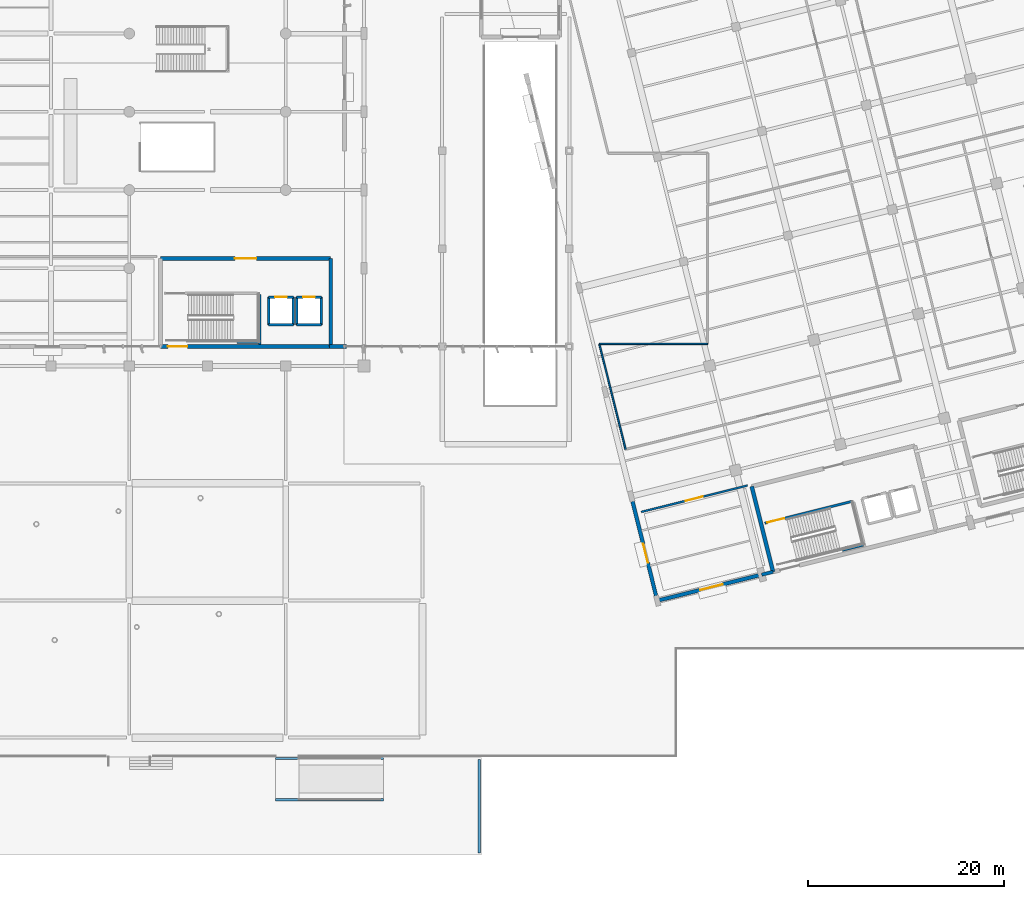
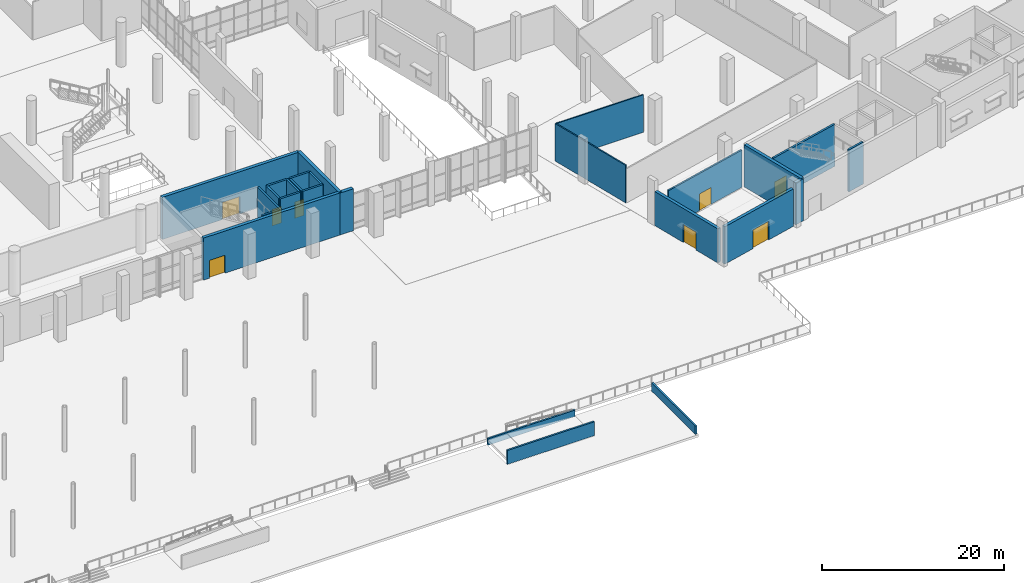
# One storey, part 126 of 163: 26 walls, 8 doors, 8 openings.
"""IFC4 building model written with IfcOpenShell, lengths in metres."""

import ifcopenshell
import ifcopenshell.guid

model = None  # the IFC model being written
_history = None  # IfcOwnerHistory: only IFC2X3 demands one
_inside = {}  # id of a spatial element -> (the spatial element, [elements in it])
_under = {}  # id of a project, library or spatial element -> (it, [spatial elements below it])
_declared = {}  # id of a project -> (the project, [libraries it declares])
_typed = {}  # id of a type object -> (the type object, [elements of that type])
_made_of = {}  # id of a material, layer set ... -> (it, [elements and type objects made of it])


def new_model(schema):
    """Start an empty IFC model of exactly this schema.

    Asked for "IFC4X3", IfcOpenShell would pick the latest addendum, in which some entities
    have other attributes; the version numbers below select the first issue.
    IFC2X3 requires an IfcOwnerHistory on every rooted entity: one is made here for all.
    """
    global model, _history
    if schema == "IFC4X3":
        model = ifcopenshell.file(schema_version=(4, 3, 0, 0))
    else:
        model = ifcopenshell.file(schema=schema)
    _inside.clear()
    _under.clear()
    _declared.clear()
    _typed.clear()
    _made_of.clear()
    _history = None
    if model.schema == "IFC2X3":
        org = make("IfcOrganization", Name="unknown")
        user = make(
            "IfcPersonAndOrganization",
            ThePerson=make("IfcPerson", FamilyName="unknown"),
            TheOrganization=org,
        )
        app = make(
            "IfcApplication",
            ApplicationDeveloper=org,
            Version="unknown",
            ApplicationFullName="unknown",
            ApplicationIdentifier="unknown",
        )
        _history = make(
            "IfcOwnerHistory",
            OwningUser=user,
            OwningApplication=app,
            ChangeAction="ADDED",
            CreationDate=0,
        )
    return model


def make(cls, **values):
    """One entity of the class cls with the attributes given. An attribute that is None is left unset."""
    return model.create_entity(
        cls, **{name: value for name, value in values.items() if value is not None}
    )


def rooted(cls, **values):
    """An entity with a GlobalId (a new one), such as an element, a storey or a relation."""
    return make(cls, GlobalId=ifcopenshell.guid.new(), OwnerHistory=_history, **values)


def si_unit(unit_type, name, prefix=None):
    """IfcSIUnit, for example si_unit("LENGTHUNIT", "METRE", prefix="MILLI")."""
    return make("IfcSIUnit", UnitType=unit_type, Prefix=prefix, Name=name)


def assignment(units):
    """IfcUnitAssignment: the units of a project."""
    return None if units is None else make("IfcUnitAssignment", Units=units)


def point(xyz):
    """IfcCartesianPoint."""
    return None if xyz is None else make("IfcCartesianPoint", Coordinates=xyz)


def direction(xyz):
    """IfcDirection."""
    return None if xyz is None else make("IfcDirection", DirectionRatios=xyz)


def frame(location, z_axis=None, x_axis=None):
    """IfcAxis2Placement3D, a coordinate frame: its origin and axes. An axis left out is left unset."""
    return make(
        "IfcAxis2Placement3D",
        Location=point(location),
        Axis=direction(z_axis),
        RefDirection=direction(x_axis),
    )


def frame_2d(location, x_axis=None):
    """IfcAxis2Placement2D, a coordinate frame in the plane: its origin and x axis."""
    return make(
        "IfcAxis2Placement2D", Location=point(location), RefDirection=direction(x_axis)
    )


def origin():
    """The frame at (0, 0, 0) with its axes left unset."""
    return frame((0.0, 0.0, 0.0))


def place(relative_to, where):
    """IfcLocalPlacement: puts the frame where relative to a parent placement (None: the world)."""
    return make(
        "IfcLocalPlacement", PlacementRelTo=relative_to, RelativePlacement=where
    )


def context(
    kind, dimensions, precision=None, world=None, true_north=None, identifier=None
):
    """IfcGeometricRepresentationContext, for example the 3D "Model" context."""
    return make(
        "IfcGeometricRepresentationContext",
        ContextIdentifier=identifier,
        ContextType=kind,
        CoordinateSpaceDimension=dimensions,
        Precision=precision,
        WorldCoordinateSystem=world,
        TrueNorth=true_north,
    )


def subcontext(parent, identifier, kind, view, scale=None):
    """IfcGeometricRepresentationSubContext, for example "Body" below "Model"."""
    return make(
        "IfcGeometricRepresentationSubContext",
        ContextIdentifier=identifier,
        ContextType=kind,
        ParentContext=parent,
        TargetScale=scale,
        TargetView=view,
    )


def project(units=None, contexts=None):
    """IfcProject with its units and contexts."""
    return rooted(
        "IfcProject",
        Name="project",
        RepresentationContexts=contexts,
        UnitsInContext=assignment(units),
    )


def spatial(cls, under=None, at=None, **own):
    """A site, building, storey or space (cls), placed at a placement, below another one or the project."""
    s = rooted(cls, ObjectPlacement=at, **own)
    if under is not None:
        _under.setdefault(under.id(), (under, []))[1].append(s)
    return s


def profile(cls, at=None, kind="AREA", **sizes):
    """A parametric profile (cls). Its sizes go by their IFC names, for example OverallWidth=200.0."""
    return make(cls, ProfileType=kind, Position=at, **sizes)


def rectangle(**sizes):
    """IfcRectangleProfileDef."""
    return profile("IfcRectangleProfileDef", **sizes)


def extrude(swept, where, along, depth):
    """IfcExtrudedAreaSolid: the profile swept, set in the frame where, extruded along a direction by depth."""
    return make(
        "IfcExtrudedAreaSolid",
        SweptArea=swept,
        Position=where,
        ExtrudedDirection=direction(along),
        Depth=depth,
    )


def shape(context_of_items, identifier, shape_type, items):
    """IfcShapeRepresentation: the items that make up one representation, for example the "Body"."""
    return make(
        "IfcShapeRepresentation",
        ContextOfItems=context_of_items,
        RepresentationIdentifier=identifier,
        RepresentationType=shape_type,
        Items=items,
    )


def material(Name=None, Category=None):
    """IfcMaterial."""
    return make("IfcMaterial", Name=Name, Category=Category)


def layer(
    of_material, thickness, ventilated=None, Name=None, Category=None, Priority=None
):
    """IfcMaterialLayer: one layer of a wall or slab, of a material (None: an air gap)."""
    return make(
        "IfcMaterialLayer",
        Material=of_material,
        LayerThickness=thickness,
        IsVentilated=ventilated,
        Name=Name,
        Category=Category,
        Priority=Priority,
    )


def layer_set(layers, Name=None):
    """IfcMaterialLayerSet."""
    return make("IfcMaterialLayerSet", MaterialLayers=layers, LayerSetName=Name)


def made_of(thing, what):
    """Note that an element or type object is made of a material, layer set ...; save() writes the relation."""
    if what is not None:
        _made_of.setdefault(what.id(), (what, []))[1].append(thing)
    return thing


def type_object(cls, material=None, **own):
    """A type object (cls), such as IfcWallType, which elements share."""
    return made_of(rooted(cls, **own), material)


def element(
    cls,
    number,
    at=None,
    inside=None,
    cuts=None,
    type_object=None,
    material=None,
    context=None,
    identifier="Body",
    shape_type=None,
    held_by="IfcProductDefinitionShape",
    body=None,
    shapes=None,
    **own,
):
    """One element of the class cls, such as IfcWall. Its Tag is "e" and its number.

    at: its placement. inside: the storey or other place that contains it. cuts: it is an
    opening in that element (IfcRelVoidsElement). A single representation is given by context,
    identifier, shape_type and body (its items); several are given by shapes. held_by: the class
    of the entity that holds the representations. save() writes the other relations.
    """
    e = rooted(cls, Tag="e%d" % number, ObjectPlacement=at, **own)
    if body is not None:
        shapes = [shape(context, identifier, shape_type, body)]
    if shapes is not None:
        e.Representation = make(held_by, Representations=shapes)
    if inside is not None:
        _inside.setdefault(inside.id(), (inside, []))[1].append(e)
    if cuts is not None:
        rooted(
            "IfcRelVoidsElement", RelatingBuildingElement=cuts, RelatedOpeningElement=e
        )
    if type_object is not None:
        _typed.setdefault(type_object.id(), (type_object, []))[1].append(e)
    return made_of(e, material)


def fill(opening, filler):
    """IfcRelFillsElement: the door or window that sits in an opening."""
    return rooted(
        "IfcRelFillsElement",
        RelatingOpeningElement=opening,
        RelatedBuildingElement=filler,
    )


def aggregate(whole, parts):
    """IfcRelAggregates: a whole, such as a stair, and the parts it consists of."""
    return rooted("IfcRelAggregates", RelatingObject=whole, RelatedObjects=parts)


def save(model, path):
    """Write the relations noted so far, then the file.

    IfcRelAggregates (storeys below a building ...), IfcRelContainedInSpatialStructure (elements
    in a storey), IfcRelDefinesByType, IfcRelAssociatesMaterial and IfcRelDeclares: one each for
    every whole, place, type object, material and project.
    """
    for whole, parts in _under.values():
        aggregate(whole, parts)
    for where, things in _inside.values():
        rooted(
            "IfcRelContainedInSpatialStructure",
            RelatedElements=things,
            RelatingStructure=where,
        )
    for kind, things in _typed.values():
        rooted("IfcRelDefinesByType", RelatedObjects=things, RelatingType=kind)
    for what, things in _made_of.values():
        rooted("IfcRelAssociatesMaterial", RelatedObjects=things, RelatingMaterial=what)
    for by, libraries in _declared.values():
        rooted("IfcRelDeclares", RelatingContext=by, RelatedDefinitions=libraries)
    model.write(path)


model = new_model("IFC4")

# Units and contexts
model_context = context("Model", 3, precision=1e-05, world=origin(), true_north=direction((0.0, 1.0)))
body_context = subcontext(model_context, "Body", "Model", "MODEL_VIEW")
ifc_project = project(units=[si_unit("LENGTHUNIT", "METRE"), si_unit("AREAUNIT", "SQUARE_METRE"), si_unit("VOLUMEUNIT", "CUBIC_METRE"), si_unit("PLANEANGLEUNIT", "RADIAN"), si_unit("MASSUNIT", "GRAM", prefix="KILO")], contexts=[model_context])

# Site, building, storey
site_placement = place(None, origin())
site = spatial("IfcSite", under=ifc_project, at=site_placement, CompositionType="ELEMENT")
building_placement = place(site_placement, origin())
building = spatial("IfcBuilding", under=site, at=building_placement, Name="Khorjan Park Terminus", CompositionType="ELEMENT")
storey_placement = place(building_placement, origin())
storey = spatial("IfcBuildingStorey", under=building, at=storey_placement, Name="L00", CompositionType="ELEMENT", Elevation=0.0)

# Wall
ifc_material_1 = material(Name="Concrete C50/60", Category="concrete")
ifc_layer_1 = layer(ifc_material_1, 0.4)
ifc_layer_set_1 = layer_set([ifc_layer_1], Name="Concrete C50/60")
wall_type_1 = type_object("IfcWallType", Name="CW-40", PredefinedType="SHEAR", material=ifc_layer_set_1)
wall_1_placement = place(storey_placement, frame((132.6, 28.0, 0.0), z_axis=(0.0, 0.0, 1.0), x_axis=(0.0, 1.0, 0.0)))
element("IfcWall", 1, at=wall_1_placement, inside=storey, type_object=wall_type_1, Name="East Concourse Core concrete shear wall CW-40 (L00-E2)", PredefinedType="SHEAR", context=body_context, shape_type="SweptSolid", body=[
    extrude(rectangle(XDim=9.0, YDim=0.4, at=frame_2d((4.5, 0.0))), origin(), (0.0, 0.0, 1.0), 5.64),
])

# Wall, opening, door
wall_2_placement = place(storey_placement, frame((132.6, 37.0, 0.0), z_axis=(0.0, 0.0, 1.0), x_axis=(-1.0, 0.0, 0.0)))
wall_2 = element("IfcWall", 2, at=wall_2_placement, inside=storey, type_object=wall_type_1, Name="East Concourse Core concrete shear wall CW-40 (L00-E3)", PredefinedType="SHEAR", context=body_context, shape_type="SweptSolid", body=[
    extrude(rectangle(XDim=17.4, YDim=0.4, at=frame_2d((8.7, 0.0))), origin(), (0.0, 0.0, 1.0), 5.64),
])
opening_1_placement = place(wall_2_placement, frame((7.6, 0.0, 0.0)))
opening_1 = element("IfcOpeningElement", 3, at=opening_1_placement, cuts=wall_2, Name="Opening FD-22", PredefinedType="OPENING", context=body_context, shape_type="SweptSolid", body=[
    extrude(rectangle(XDim=2.2, YDim=2.3, at=frame_2d((1.1, 1.15))), frame((0.0, 0.21, 0.0), z_axis=(0.0, -1.0, 0.0), x_axis=(1.0, 0.0, 0.0)), (0.0, 0.0, 1.0), 0.42),
])
ifc_material_2 = material(Name="Fire-Rated Steel Double Door", Category="steel")
door_type_1 = type_object("IfcDoorType", Name="FD-22", OperationType="NOTDEFINED", PredefinedType="DOOR", material=ifc_material_2)
door_1_placement = place(opening_1_placement, origin())
door_1 = element("IfcDoor", 4, at=door_1_placement, inside=storey, type_object=door_type_1, Name="East Concourse Core fire-rated exit door FD-22 (L00)", OperationType="DOUBLE_DOOR_SINGLE_SWING", OverallHeight=2.3, OverallWidth=2.2, PredefinedType="DOOR", context=body_context, shape_type="SweptSolid", body=[
    extrude(rectangle(XDim=2.2, YDim=2.3, at=frame_2d((1.1, 1.15))), frame((0.0, 0.025, 0.0), z_axis=(0.0, -1.0, 0.0), x_axis=(1.0, 0.0, 0.0)), (0.0, 0.0, 1.0), 0.05),
])
fill(opening_1, door_1)

# Wall
wall_3_placement = place(storey_placement, frame((175.6603, 13.6841, 0.0), z_axis=(0.0, 0.0, 1.0), x_axis=(0.241921199913, -0.97029589973, 0.0)))
element("IfcWall", 5, at=wall_3_placement, inside=storey, type_object=wall_type_1, Name="Operations West Firefighting Core concrete shear wall CW-40 (L00-E4)", PredefinedType="SHEAR", context=body_context, shape_type="SweptSolid", body=[
    extrude(rectangle(XDim=9.0, YDim=0.4, at=frame_2d((4.5, 0.0))), origin(), (0.0, 0.0, 1.0), 5.64),
])

# Wall, opening, door
ifc_layer_2 = layer(ifc_material_1, 0.4)
ifc_layer_set_2 = layer_set([ifc_layer_2], Name="Concrete C50/60")
wall_type_2 = type_object("IfcWallType", Name="CWE-40", PredefinedType="SHEAR", material=ifc_layer_set_2)
wall_4_placement = place(storey_placement, frame((115.2, 28.0, 0.0), z_axis=(0.0, 0.0, 1.0), x_axis=(1.0, 0.0, 0.0)))
wall_4 = element("IfcWall", 6, at=wall_4_placement, inside=storey, type_object=wall_type_2, Name="East Concourse Core concrete shear wall CWE-40 (L00-E1)", PredefinedType="SHEAR", context=body_context, shape_type="SweptSolid", body=[
    extrude(rectangle(XDim=17.4, YDim=0.4, at=frame_2d((8.7, 0.0))), origin(), (0.0, 0.0, 1.0), 5.64),
])
opening_2_placement = place(wall_4_placement, frame((0.75, 0.0, 0.0)))
opening_2 = element("IfcOpeningElement", 7, at=opening_2_placement, cuts=wall_4, Name="Opening ED-20", PredefinedType="OPENING", context=body_context, shape_type="SweptSolid", body=[
    extrude(rectangle(XDim=2.0, YDim=2.4, at=frame_2d((1.0, 1.2))), frame((0.0, 0.21, 0.0), z_axis=(0.0, -1.0, 0.0), x_axis=(1.0, 0.0, 0.0)), (0.0, 0.0, 1.0), 0.42),
])
ifc_material_3 = material(Name="Anodized Bronze Aluminium & Safety Glass", Category="aluminium")
door_type_2 = type_object("IfcDoorType", Name="ED-20", OperationType="NOTDEFINED", PredefinedType="DOOR", material=ifc_material_3)
door_2_placement = place(opening_2_placement, frame((2.0, 0.0, 0.0), z_axis=(0.0, 0.0, 1.0), x_axis=(-1.0, 0.0, 0.0)))
door_2 = element("IfcDoor", 8, at=door_2_placement, inside=storey, type_object=door_type_2, Name="East Concourse Core ground exit discharge door ED-20", OperationType="DOUBLE_DOOR_SINGLE_SWING", OverallHeight=2.4, OverallWidth=2.0, PredefinedType="DOOR", context=body_context, shape_type="SweptSolid", body=[
    extrude(rectangle(XDim=2.0, YDim=2.4, at=frame_2d((1.0, 1.2))), frame((0.0, 0.025, 0.0), z_axis=(0.0, -1.0, 0.0), x_axis=(1.0, 0.0, 0.0)), (0.0, 0.0, 1.0), 0.05),
])
fill(opening_2, door_2)

# Wall
ifc_material_4 = material(Name="Pigmented Precast GRC & Concrete C40/50", Category="concrete")
ifc_layer_3 = layer(ifc_material_4, 0.35)
ifc_layer_set_3 = layer_set([ifc_layer_3], Name="Pigmented Precast GRC & Concrete C40/50")
wall_type_3 = type_object("IfcWallType", Name="EW-35", PredefinedType="STANDARD", material=ifc_layer_set_3)
wall_5_placement = place(storey_placement, frame((176.6733, 4.6611, 0.0), z_axis=(0.0, 0.0, 1.0), x_axis=(0.970294277425, 0.24192770655, 0.0)))
element("IfcWall", 9, at=wall_5_placement, inside=storey, type_object=wall_type_3, Name="External pigmented-GRC core infill wall EW-35 (EW-V5-K3P-L00-1)", PredefinedType="STANDARD", context=body_context, shape_type="SweptSolid", body=[
    extrude(rectangle(XDim=1.1999, YDim=0.35, at=frame_2d((0.5999, 0.0))), origin(), (0.0, 0.0, 1.0), 5.625),
])

# Wall, opening, door
ifc_layer_4 = layer(ifc_material_4, 0.38)
ifc_layer_set_4 = layer_set([ifc_layer_4], Name="Pigmented Precast GRC & Concrete C40/50")
wall_type_4 = type_object("IfcWallType", Name="EW-38", PredefinedType="STANDARD", material=ifc_layer_set_4)
wall_6_placement = place(storey_placement, frame((166.2086, 2.052, 0.0), z_axis=(0.0, 0.0, 1.0), x_axis=(0.970296811027, 0.24191754486, 0.0)))
wall_6 = element("IfcWall", 10, at=wall_6_placement, inside=storey, type_object=wall_type_4, Name="External pigmented-GRC insulated wall EW-38 (EW-V5-S-L00-B01)", PredefinedType="STANDARD", context=body_context, shape_type="SweptSolid", body=[
    extrude(rectangle(XDim=10.4697, YDim=0.38, at=frame_2d((5.2348, 0.0))), origin(), (0.0, 0.0, 1.0), 5.015),
])
opening_3_placement = place(wall_6_placement, frame((4.3, 0.0, 0.0)))
opening_3 = element("IfcOpeningElement", 11, at=opening_3_placement, cuts=wall_6, Name="Opening ED-24", PredefinedType="OPENING", context=body_context, shape_type="SweptSolid", body=[
    extrude(rectangle(XDim=2.4, YDim=2.5, at=frame_2d((1.2, 1.25))), frame((0.0, 0.2, 0.0), z_axis=(0.0, -1.0, 0.0), x_axis=(1.0, 0.0, 0.0)), (0.0, 0.0, 1.0), 0.4),
])
door_type_3 = type_object("IfcDoorType", Name="ED-24", OperationType="NOTDEFINED", PredefinedType="DOOR", material=ifc_material_3)
door_3_placement = place(opening_3_placement, origin())
door_3 = element("IfcDoor", 12, at=door_3_placement, inside=storey, type_object=door_type_3, Name="Exterior door ED-24 (DR-EW-V5-S-L00-B01)", OperationType="DOUBLE_DOOR_SINGLE_SWING", OverallHeight=2.5, OverallWidth=2.4, PredefinedType="DOOR", context=body_context, shape_type="SweptSolid", body=[
    extrude(rectangle(XDim=2.4, YDim=2.5, at=frame_2d((1.2, 1.25))), frame((0.0, 0.025, 0.0), z_axis=(0.0, -1.0, 0.0), x_axis=(1.0, 0.0, 0.0)), (0.0, 0.0, 1.0), 0.05),
])
fill(opening_3, door_3)

wall_7_placement = place(storey_placement, frame((163.4636, 12.1733, 0.0), z_axis=(0.0, 0.0, 1.0), x_axis=(0.241912511909, -0.970298065845, 0.0)))
wall_7 = element("IfcWall", 13, at=wall_7_placement, inside=storey, type_object=wall_type_4, Name="External pigmented-GRC insulated wall EW-38 (EW-V5-W-L00-B06)", PredefinedType="STANDARD", context=body_context, shape_type="SweptSolid", body=[
    extrude(rectangle(XDim=9.9697, YDim=0.38, at=frame_2d((4.9848, 0.0))), origin(), (0.0, 0.0, 1.0), 4.565),
])
opening_4_placement = place(wall_7_placement, frame((4.5, 0.0, 0.0)))
opening_4 = element("IfcOpeningElement", 14, at=opening_4_placement, cuts=wall_7, Name="Opening ED-20", PredefinedType="OPENING", context=body_context, shape_type="SweptSolid", body=[
    extrude(rectangle(XDim=2.0, YDim=2.4, at=frame_2d((1.0, 1.2))), frame((0.0, 0.2, 0.0), z_axis=(0.0, -1.0, 0.0), x_axis=(1.0, 0.0, 0.0)), (0.0, 0.0, 1.0), 0.4),
])
door_4_placement = place(opening_4_placement, origin())
door_4 = element("IfcDoor", 15, at=door_4_placement, inside=storey, type_object=door_type_2, Name="Exterior door ED-20 (DR-EW-V5-W-L00-B06)", OperationType="DOUBLE_DOOR_SINGLE_SWING", OverallHeight=2.4, OverallWidth=2.0, PredefinedType="DOOR", context=body_context, shape_type="SweptSolid", body=[
    extrude(rectangle(XDim=2.0, YDim=2.4, at=frame_2d((1.0, 1.2))), frame((0.0, 0.025, 0.0), z_axis=(0.0, -1.0, 0.0), x_axis=(1.0, 0.0, 0.0)), (0.0, 0.0, 1.0), 0.05),
])
fill(opening_4, door_4)

# Walls
ifc_layer_5 = layer(ifc_material_4, 0.42)
ifc_layer_set_5 = layer_set([ifc_layer_5], Name="Pigmented Precast GRC & Concrete C40/50")
wall_type_5 = type_object("IfcWallType", Name="EW-42", PredefinedType="STANDARD", material=ifc_layer_set_5)
wall_8_placement = place(storey_placement, frame((132.5, 28.0, 0.0), z_axis=(0.0, 0.0, 1.0), x_axis=(1.0, 0.0, 0.0)))
element("IfcWall", 16, at=wall_8_placement, inside=storey, type_object=wall_type_5, Name="External pigmented-GRC pier wall EW-42 (L00-8)", PredefinedType="STANDARD", context=body_context, shape_type="SweptSolid", body=[
    extrude(rectangle(XDim=1.7, YDim=0.42, at=frame_2d((0.85, 0.0))), origin(), (0.0, 0.0, 1.0), 5.62),
])
ifc_layer_6 = layer(ifc_material_4, 0.22)
ifc_layer_set_6 = layer_set([ifc_layer_6], Name="Pigmented Precast GRC & Concrete C40/50")
wall_type_6 = type_object("IfcWallType", Name="EW-PAR-220", PredefinedType="PARAPET", material=ifc_layer_set_6)
wall_9_placement = place(storey_placement, frame((147.79, -14.23, -0.72), z_axis=(0.0, 0.0, 1.0), x_axis=(0.0, -1.0, 0.0)))
element("IfcWall", 17, at=wall_9_placement, inside=storey, type_object=wall_type_6, Name="Approach apron return parapet kerb wall PW-22 (1-78)", PredefinedType="PARAPET", context=body_context, shape_type="SweptSolid", body=[
    extrude(rectangle(XDim=9.56, YDim=0.22, at=frame_2d((4.78, 0.0))), origin(), (0.0, 0.0, 1.0), 1.12),
])
wall_10_placement = place(storey_placement, frame((126.96, -18.35, -0.72), z_axis=(0.0, 0.0, 1.0), x_axis=(1.0, 0.0, 0.0)))
element("IfcWall", 18, at=wall_10_placement, inside=storey, type_object=wall_type_6, Name="Accessible ramp cheek wall (GRMP-S-E-S)", PredefinedType="PARAPET", context=body_context, shape_type="SweptSolid", body=[
    extrude(rectangle(XDim=11.04, YDim=0.22, at=frame_2d((5.52, 0.0))), origin(), (0.0, 0.0, 1.0), 1.86),
])
wall_11_placement = place(storey_placement, frame((126.96, -14.13, -0.72), z_axis=(0.0, 0.0, 1.0), x_axis=(1.0, 0.0, 0.0)))
element("IfcWall", 19, at=wall_11_placement, inside=storey, type_object=wall_type_6, Name="Accessible ramp cheek wall (GRMP-S-E-N)", PredefinedType="PARAPET", context=body_context, shape_type="SweptSolid", body=[
    extrude(rectangle(XDim=11.04, YDim=0.22, at=frame_2d((5.52, 0.0))), origin(), (0.0, 0.0, 1.0), 0.87),
])
ifc_material_5 = material(Name="Insulated Metal-Stud Acoustic Partition")
ifc_layer_7 = layer(ifc_material_5, 0.16)
ifc_layer_set_7 = layer_set([ifc_layer_7], Name="Insulated Metal-Stud Acoustic Partition")
wall_type_7 = type_object("IfcWallType", Name="PT-16", PredefinedType="PARTITIONING", material=ifc_layer_set_7)
wall_12_placement = place(storey_placement, frame((162.7598, 17.4758, 0.0), z_axis=(0.0, 0.0, 1.0), x_axis=(-0.241921637388, 0.970295790655, 0.0)))
element("IfcWall", 20, at=wall_12_placement, inside=storey, type_object=wall_type_7, Name="Interior acoustic partition PT-16 (L00-POL)", PredefinedType="PARTITIONING", context=body_context, shape_type="SweptSolid", body=[
    extrude(rectangle(XDim=11.1143, YDim=0.16, at=frame_2d((5.5572, 0.0))), origin(), (0.0, 0.0, 1.0), 5.025),
])
wall_13_placement = place(storey_placement, frame((160.071, 28.26, 0.0), z_axis=(0.0, 0.0, 1.0), x_axis=(1.0, 0.0, 0.0)))
element("IfcWall", 21, at=wall_13_placement, inside=storey, type_object=wall_type_7, Name="Interior acoustic partition PT-16 (L00-POL)", PredefinedType="PARTITIONING", context=body_context, shape_type="SweptSolid", body=[
    extrude(rectangle(XDim=11.069, YDim=0.16, at=frame_2d((5.5345, 0.0))), origin(), (0.0, 0.0, 1.0), 5.015),
])

# Wall, opening, door
ifc_material_6 = material(Name="Fire-Rated Acoustic Masonry & Drywall", Category="masonry")
ifc_layer_8 = layer(ifc_material_6, 0.2)
ifc_layer_set_8 = layer_set([ifc_layer_8], Name="Fire-Rated Acoustic Masonry & Drywall")
wall_type_8 = type_object("IfcWallType", Name="PT-20", PredefinedType="PARTITIONING", material=ifc_layer_set_8)
wall_14_placement = place(storey_placement, frame((164.3565, 11.0719, 0.0), z_axis=(0.0, 0.0, 1.0), x_axis=(0.970296191666, 0.241920029015, 0.0)))
wall_14 = element("IfcWall", 22, at=wall_14_placement, inside=storey, type_object=wall_type_8, Name="Interior acoustic partition PT-20 (L00-FCC)", PredefinedType="PARTITIONING", context=body_context, shape_type="SweptSolid", body=[
    extrude(rectangle(XDim=11.2, YDim=0.2, at=frame_2d((5.6, 0.0))), origin(), (0.0, 0.0, 1.0), 4.975),
])
opening_5_placement = place(wall_14_placement, frame((4.7, 0.0, 0.0)))
opening_5 = element("IfcOpeningElement", 23, at=opening_5_placement, cuts=wall_14, Name="Opening ID-18", PredefinedType="OPENING", context=body_context, shape_type="SweptSolid", body=[
    extrude(rectangle(XDim=1.8, YDim=2.25, at=frame_2d((0.9, 1.125))), frame((0.0, 0.11, 0.0), z_axis=(0.0, -1.0, 0.0), x_axis=(1.0, 0.0, 0.0)), (0.0, 0.0, 1.0), 0.22),
])
ifc_material_7 = material(Name="Acoustic Hardwood & Vision-Lite Double Door", Category="wood")
door_type_4 = type_object("IfcDoorType", Name="ID-18", OperationType="NOTDEFINED", PredefinedType="DOOR", material=ifc_material_7)
door_5_placement = place(opening_5_placement, origin())
door_5 = element("IfcDoor", 24, at=door_5_placement, inside=storey, type_object=door_type_4, Name="Interior door ID-18 (L00-FCC)", OperationType="DOUBLE_DOOR_SINGLE_SWING", OverallHeight=2.25, OverallWidth=1.8, PredefinedType="DOOR", context=body_context, shape_type="SweptSolid", body=[
    extrude(rectangle(XDim=1.8, YDim=2.25, at=frame_2d((0.9, 1.125))), frame((0.0, 0.025, 0.0), z_axis=(0.0, -1.0, 0.0), x_axis=(1.0, 0.0, 0.0)), (0.0, 0.0, 1.0), 0.05),
])
fill(opening_5, door_5)

# Walls
ifc_material_8 = material(Name="Concrete C40/50", Category="concrete")
ifc_layer_9 = layer(ifc_material_8, 0.25)
ifc_layer_set_9 = layer_set([ifc_layer_9], Name="Concrete C40/50")
wall_type_9 = type_object("IfcWallType", Name="SW-25", PredefinedType="SOLIDWALL", material=ifc_layer_set_9)
wall_15_placement = place(storey_placement, frame((126.25, 30.21, 0.0), z_axis=(0.0, 0.0, 1.0), x_axis=(1.0, 0.0, 0.0)))
element("IfcWall", 25, at=wall_15_placement, inside=storey, type_object=wall_type_9, Name="Lift L03 concrete shaft wall SW-25 (L00-1)", PredefinedType="SOLIDWALL", context=body_context, shape_type="SweptSolid", body=[
    extrude(rectangle(XDim=2.54, YDim=0.25, at=frame_2d((1.27, 0.0))), origin(), (0.0, 0.0, 1.0), 5.64),
])
wall_16_placement = place(storey_placement, frame((128.79, 30.21, 0.0), z_axis=(0.0, 0.0, 1.0), x_axis=(0.0, 1.0, 0.0)))
element("IfcWall", 26, at=wall_16_placement, inside=storey, type_object=wall_type_9, Name="Lift L03 concrete shaft wall SW-25 (L00-2)", PredefinedType="SOLIDWALL", context=body_context, shape_type="SweptSolid", body=[
    extrude(rectangle(XDim=2.84, YDim=0.25, at=frame_2d((1.42, 0.0))), origin(), (0.0, 0.0, 1.0), 5.64),
])

# Wall, opening, door
wall_17_placement = place(storey_placement, frame((128.79, 33.05, 0.0), z_axis=(0.0, 0.0, 1.0), x_axis=(-1.0, 0.0, 0.0)))
wall_17 = element("IfcWall", 27, at=wall_17_placement, inside=storey, type_object=wall_type_9, Name="Lift L03 concrete shaft wall SW-25 (L00-3)", PredefinedType="SOLIDWALL", context=body_context, shape_type="SweptSolid", body=[
    extrude(rectangle(XDim=2.54, YDim=0.25, at=frame_2d((1.27, 0.0))), origin(), (0.0, 0.0, 1.0), 5.64),
])
opening_6_placement = place(wall_17_placement, frame((0.67, 0.0, 0.0)))
opening_6 = element("IfcOpeningElement", 28, at=opening_6_placement, cuts=wall_17, Name="Opening LD-12", PredefinedType="OPENING", context=body_context, shape_type="SweptSolid", body=[
    extrude(rectangle(XDim=1.2, YDim=2.2, at=frame_2d((0.6, 1.1))), frame((0.0, 0.135, 0.0), z_axis=(0.0, -1.0, 0.0), x_axis=(1.0, 0.0, 0.0)), (0.0, 0.0, 1.0), 0.27),
])
ifc_material_9 = material(Name="Stainless-Steel Lift Landing Sliding Door", Category="steel")
door_type_5 = type_object("IfcDoorType", Name="LD-12", OperationType="NOTDEFINED", PredefinedType="DOOR", material=ifc_material_9)
door_6_placement = place(opening_6_placement, origin())
door_6 = element("IfcDoor", 29, at=door_6_placement, inside=storey, type_object=door_type_5, Name="Lift L03 sliding landing door LD-12 (L00)", OperationType="SLIDING_TO_LEFT", OverallHeight=2.2, OverallWidth=1.2, PredefinedType="DOOR", context=body_context, shape_type="SweptSolid", body=[
    extrude(rectangle(XDim=1.2, YDim=2.2, at=frame_2d((0.6, 1.1))), frame((0.0, 0.025, 0.0), z_axis=(0.0, -1.0, 0.0), x_axis=(1.0, 0.0, 0.0)), (0.0, 0.0, 1.0), 0.05),
])
fill(opening_6, door_6)

# Walls
wall_18_placement = place(storey_placement, frame((126.25, 33.05, 0.0), z_axis=(0.0, 0.0, 1.0), x_axis=(0.0, -1.0, 0.0)))
element("IfcWall", 30, at=wall_18_placement, inside=storey, type_object=wall_type_9, Name="Lift L03 concrete shaft wall SW-25 (L00-4)", PredefinedType="SOLIDWALL", context=body_context, shape_type="SweptSolid", body=[
    extrude(rectangle(XDim=2.84, YDim=0.25, at=frame_2d((1.42, 0.0))), origin(), (0.0, 0.0, 1.0), 5.64),
])
wall_19_placement = place(storey_placement, frame((129.11, 30.21, 0.0), z_axis=(0.0, 0.0, 1.0), x_axis=(1.0, 0.0, 0.0)))
element("IfcWall", 31, at=wall_19_placement, inside=storey, type_object=wall_type_9, Name="Lift L04 concrete shaft wall SW-25 (L00-1)", PredefinedType="SOLIDWALL", context=body_context, shape_type="SweptSolid", body=[
    extrude(rectangle(XDim=2.54, YDim=0.25, at=frame_2d((1.27, 0.0))), origin(), (0.0, 0.0, 1.0), 5.64),
])
wall_20_placement = place(storey_placement, frame((131.65, 30.21, 0.0), z_axis=(0.0, 0.0, 1.0), x_axis=(0.0, 1.0, 0.0)))
element("IfcWall", 32, at=wall_20_placement, inside=storey, type_object=wall_type_9, Name="Lift L04 concrete shaft wall SW-25 (L00-2)", PredefinedType="SOLIDWALL", context=body_context, shape_type="SweptSolid", body=[
    extrude(rectangle(XDim=2.84, YDim=0.25, at=frame_2d((1.42, 0.0))), origin(), (0.0, 0.0, 1.0), 5.64),
])

# Wall, opening, door
wall_21_placement = place(storey_placement, frame((131.65, 33.05, 0.0), z_axis=(0.0, 0.0, 1.0), x_axis=(-1.0, 0.0, 0.0)))
wall_21 = element("IfcWall", 33, at=wall_21_placement, inside=storey, type_object=wall_type_9, Name="Lift L04 concrete shaft wall SW-25 (L00-3)", PredefinedType="SOLIDWALL", context=body_context, shape_type="SweptSolid", body=[
    extrude(rectangle(XDim=2.54, YDim=0.25, at=frame_2d((1.27, 0.0))), origin(), (0.0, 0.0, 1.0), 5.64),
])
opening_7_placement = place(wall_21_placement, frame((0.67, 0.0, 0.0)))
opening_7 = element("IfcOpeningElement", 34, at=opening_7_placement, cuts=wall_21, Name="Opening LD-12", PredefinedType="OPENING", context=body_context, shape_type="SweptSolid", body=[
    extrude(rectangle(XDim=1.2, YDim=2.2, at=frame_2d((0.6, 1.1))), frame((0.0, 0.135, 0.0), z_axis=(0.0, -1.0, 0.0), x_axis=(1.0, 0.0, 0.0)), (0.0, 0.0, 1.0), 0.27),
])
door_7_placement = place(opening_7_placement, origin())
door_7 = element("IfcDoor", 35, at=door_7_placement, inside=storey, type_object=door_type_5, Name="Lift L04 sliding landing door LD-12 (L00)", OperationType="SLIDING_TO_RIGHT", OverallHeight=2.2, OverallWidth=1.2, PredefinedType="DOOR", context=body_context, shape_type="SweptSolid", body=[
    extrude(rectangle(XDim=1.2, YDim=2.2, at=frame_2d((0.6, 1.1))), frame((0.0, 0.025, 0.0), z_axis=(0.0, -1.0, 0.0), x_axis=(1.0, 0.0, 0.0)), (0.0, 0.0, 1.0), 0.05),
])
fill(opening_7, door_7)

# Walls
wall_22_placement = place(storey_placement, frame((129.11, 33.05, 0.0), z_axis=(0.0, 0.0, 1.0), x_axis=(0.0, -1.0, 0.0)))
element("IfcWall", 36, at=wall_22_placement, inside=storey, type_object=wall_type_9, Name="Lift L04 concrete shaft wall SW-25 (L00-4)", PredefinedType="SOLIDWALL", context=body_context, shape_type="SweptSolid", body=[
    extrude(rectangle(XDim=2.84, YDim=0.25, at=frame_2d((1.42, 0.0))), origin(), (0.0, 0.0, 1.0), 5.64),
])
wall_23_placement = place(storey_placement, frame((125.325, 28.2, 0.0), z_axis=(0.0, 0.0, 1.0), x_axis=(0.0, 1.0, 0.0)))
element("IfcWall", 37, at=wall_23_placement, inside=storey, type_object=wall_type_9, Name="East Concourse Core stairwell end bearing wall SW-25 (L00)", PredefinedType="SOLIDWALL", context=body_context, shape_type="SweptSolid", body=[
    extrude(rectangle(XDim=5.11, YDim=0.25, at=frame_2d((2.555, 0.0))), origin(), (0.0, 0.0, 1.0), 5.62),
])
wall_24_placement = place(storey_placement, frame((123.0, 28.425, 0.0), z_axis=(0.0, 0.0, 1.0), x_axis=(1.0, 0.0, 0.0)))
element("IfcWall", 38, at=wall_24_placement, inside=storey, type_object=wall_type_9, Name="East Concourse Core half-landing bearing wall SW-25 (L00)", PredefinedType="SOLIDWALL", context=body_context, shape_type="SweptSolid", body=[
    extrude(rectangle(XDim=2.2, YDim=0.25, at=frame_2d((1.1, 0.0))), origin(), (0.0, 0.0, 1.0), 5.62),
])

# Wall, opening, door
wall_25_placement = place(storey_placement, frame((176.9882, 9.9288, 0.0), z_axis=(0.0, 0.0, 1.0), x_axis=(0.970297151331, 0.241916179943, 0.0)))
wall_25 = element("IfcWall", 39, at=wall_25_placement, inside=storey, type_object=wall_type_9, Name="Operations West Firefighting Core structural stairwell wall SW-25 (L00)", PredefinedType="SOLIDWALL", context=body_context, shape_type="SweptSolid", body=[
    extrude(rectangle(XDim=9.345, YDim=0.25, at=frame_2d((4.6725, 0.0))), origin(), (0.0, 0.0, 1.0), 5.62),
])
opening_8_placement = place(wall_25_placement, frame((0.25, 0.0, 0.0)))
opening_8 = element("IfcOpeningElement", 40, at=opening_8_placement, cuts=wall_25, Name="Opening FD-18", PredefinedType="OPENING", context=body_context, shape_type="SweptSolid", body=[
    extrude(rectangle(XDim=1.8, YDim=2.25, at=frame_2d((0.9, 1.125))), frame((0.0, 0.135, 0.0), z_axis=(0.0, -1.0, 0.0), x_axis=(1.0, 0.0, 0.0)), (0.0, 0.0, 1.0), 0.27),
])
door_type_6 = type_object("IfcDoorType", Name="FD-18", OperationType="NOTDEFINED", PredefinedType="DOOR", material=ifc_material_2)
door_8_placement = place(opening_8_placement, origin())
door_8 = element("IfcDoor", 41, at=door_8_placement, inside=storey, type_object=door_type_6, Name="Operations West Firefighting Core stairwell fire door FD-18 (L00)", OperationType="DOUBLE_DOOR_SINGLE_SWING", OverallHeight=2.25, OverallWidth=1.8, PredefinedType="DOOR", context=body_context, shape_type="SweptSolid", body=[
    extrude(rectangle(XDim=1.8, YDim=2.25, at=frame_2d((0.9, 1.125))), frame((0.0, 0.025, 0.0), z_axis=(0.0, -1.0, 0.0), x_axis=(1.0, 0.0, 0.0)), (0.0, 0.0, 1.0), 0.05),
])
fill(opening_8, door_8)

# Wall
wall_26_placement = place(storey_placement, frame((184.915, 7.154, 0.0), z_axis=(0.0, 0.0, 1.0), x_axis=(0.97029738597, 0.241915238833, 0.0)))
element("IfcWall", 42, at=wall_26_placement, inside=storey, type_object=wall_type_9, Name="Operations West Firefighting Core half-landing bearing wall SW-25 (L00)", PredefinedType="SOLIDWALL", context=body_context, shape_type="SweptSolid", body=[
    extrude(rectangle(XDim=2.1999, YDim=0.25, at=frame_2d((1.0999, 0.0))), origin(), (0.0, 0.0, 1.0), 5.62),
])

save(model, "model.ifc")
